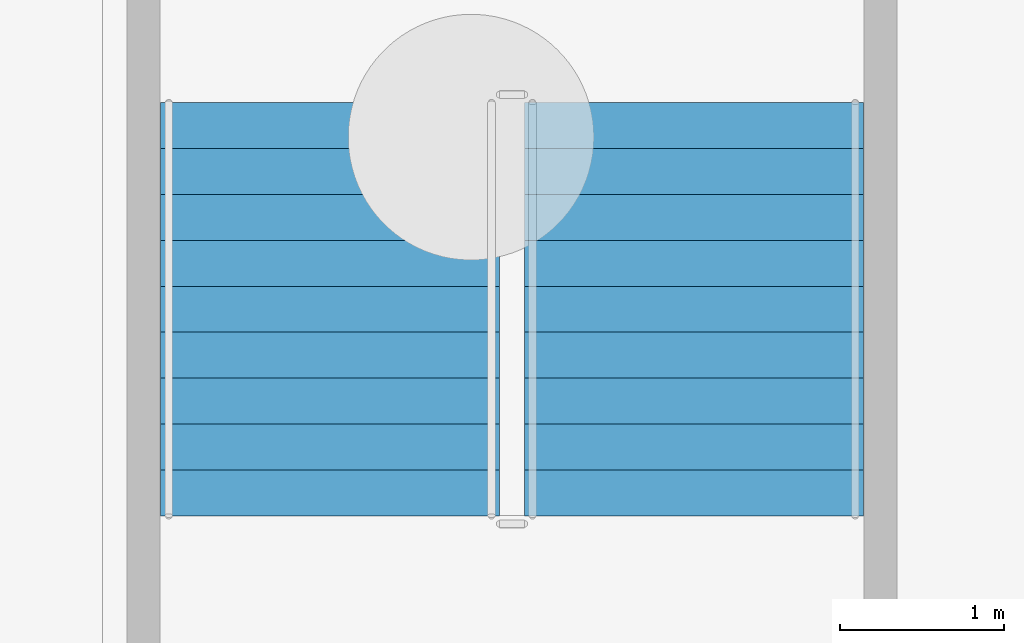
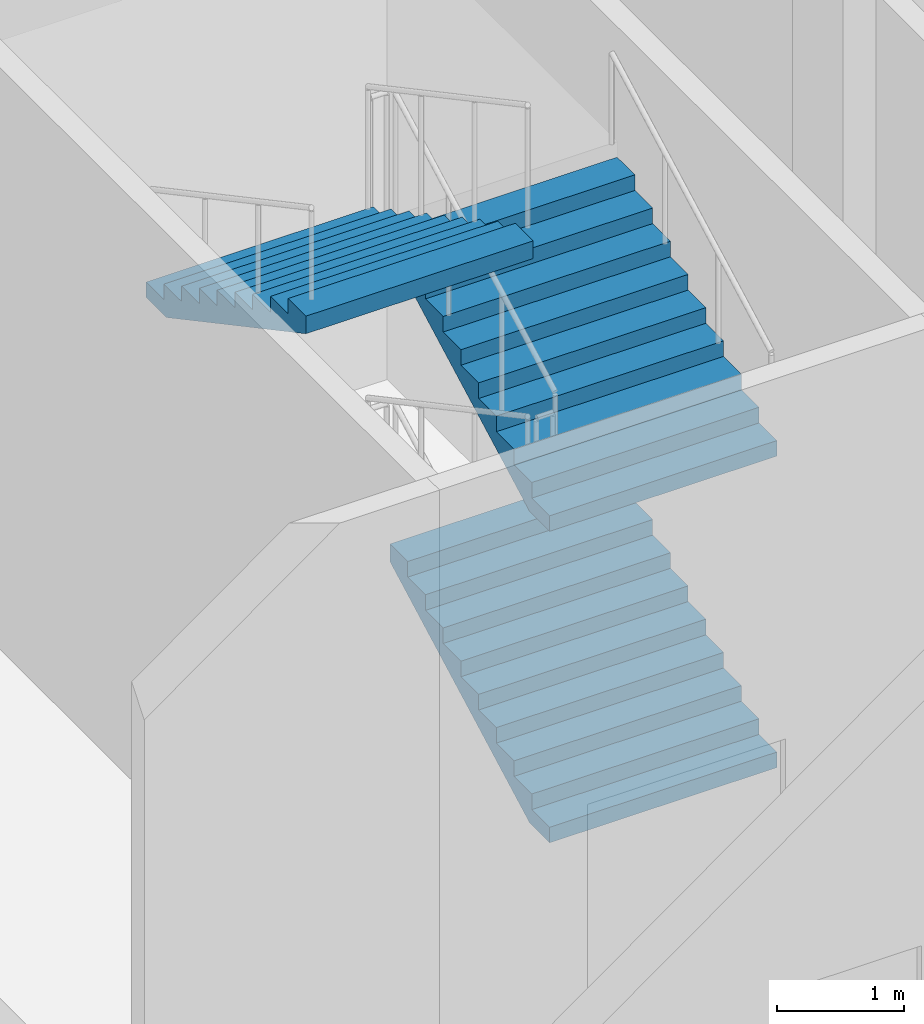
# One storey, part 15 of 25: 3 stair flights, 1 element without a shape of its own.
"""IFC4 building model written with IfcOpenShell, lengths in metres."""

import ifcopenshell
import ifcopenshell.guid

model = None  # the IFC model being written
_history = None  # IfcOwnerHistory: only IFC2X3 demands one
_inside = {}  # id of a spatial element -> (the spatial element, [elements in it])
_under = {}  # id of a project, library or spatial element -> (it, [spatial elements below it])
_declared = {}  # id of a project -> (the project, [libraries it declares])
_typed = {}  # id of a type object -> (the type object, [elements of that type])
_made_of = {}  # id of a material, layer set ... -> (it, [elements and type objects made of it])


def new_model(schema):
    """Start an empty IFC model of exactly this schema.

    Asked for "IFC4X3", IfcOpenShell would pick the latest addendum, in which some entities
    have other attributes; the version numbers below select the first issue.
    IFC2X3 requires an IfcOwnerHistory on every rooted entity: one is made here for all.
    """
    global model, _history
    if schema == "IFC4X3":
        model = ifcopenshell.file(schema_version=(4, 3, 0, 0))
    else:
        model = ifcopenshell.file(schema=schema)
    _inside.clear()
    _under.clear()
    _declared.clear()
    _typed.clear()
    _made_of.clear()
    _history = None
    if model.schema == "IFC2X3":
        org = make("IfcOrganization", Name="unknown")
        user = make(
            "IfcPersonAndOrganization",
            ThePerson=make("IfcPerson", FamilyName="unknown"),
            TheOrganization=org,
        )
        app = make(
            "IfcApplication",
            ApplicationDeveloper=org,
            Version="unknown",
            ApplicationFullName="unknown",
            ApplicationIdentifier="unknown",
        )
        _history = make(
            "IfcOwnerHistory",
            OwningUser=user,
            OwningApplication=app,
            ChangeAction="ADDED",
            CreationDate=0,
        )
    return model


def make(cls, **values):
    """One entity of the class cls with the attributes given. An attribute that is None is left unset."""
    return model.create_entity(
        cls, **{name: value for name, value in values.items() if value is not None}
    )


def rooted(cls, **values):
    """An entity with a GlobalId (a new one), such as an element, a storey or a relation."""
    return make(cls, GlobalId=ifcopenshell.guid.new(), OwnerHistory=_history, **values)


def si_unit(unit_type, name, prefix=None):
    """IfcSIUnit, for example si_unit("LENGTHUNIT", "METRE", prefix="MILLI")."""
    return make("IfcSIUnit", UnitType=unit_type, Prefix=prefix, Name=name)


def assignment(units):
    """IfcUnitAssignment: the units of a project."""
    return None if units is None else make("IfcUnitAssignment", Units=units)


def point(xyz):
    """IfcCartesianPoint."""
    return None if xyz is None else make("IfcCartesianPoint", Coordinates=xyz)


def direction(xyz):
    """IfcDirection."""
    return None if xyz is None else make("IfcDirection", DirectionRatios=xyz)


def frame(location, z_axis=None, x_axis=None):
    """IfcAxis2Placement3D, a coordinate frame: its origin and axes. An axis left out is left unset."""
    return make(
        "IfcAxis2Placement3D",
        Location=point(location),
        Axis=direction(z_axis),
        RefDirection=direction(x_axis),
    )


def origin():
    """The frame at (0, 0, 0) with its axes left unset."""
    return frame((0.0, 0.0, 0.0))


def place(relative_to, where):
    """IfcLocalPlacement: puts the frame where relative to a parent placement (None: the world)."""
    return make(
        "IfcLocalPlacement", PlacementRelTo=relative_to, RelativePlacement=where
    )


def context(
    kind, dimensions, precision=None, world=None, true_north=None, identifier=None
):
    """IfcGeometricRepresentationContext, for example the 3D "Model" context."""
    return make(
        "IfcGeometricRepresentationContext",
        ContextIdentifier=identifier,
        ContextType=kind,
        CoordinateSpaceDimension=dimensions,
        Precision=precision,
        WorldCoordinateSystem=world,
        TrueNorth=true_north,
    )


def subcontext(parent, identifier, kind, view, scale=None):
    """IfcGeometricRepresentationSubContext, for example "Body" below "Model"."""
    return make(
        "IfcGeometricRepresentationSubContext",
        ContextIdentifier=identifier,
        ContextType=kind,
        ParentContext=parent,
        TargetScale=scale,
        TargetView=view,
    )


def project(units=None, contexts=None):
    """IfcProject with its units and contexts."""
    return rooted(
        "IfcProject",
        Name="project",
        RepresentationContexts=contexts,
        UnitsInContext=assignment(units),
    )


def spatial(cls, under=None, at=None, **own):
    """A site, building, storey or space (cls), placed at a placement, below another one or the project."""
    s = rooted(cls, ObjectPlacement=at, **own)
    if under is not None:
        _under.setdefault(under.id(), (under, []))[1].append(s)
    return s


def point_list(points):
    """IfcCartesianPointList2D or 3D."""
    cls = (
        "IfcCartesianPointList2D" if len(points[0]) == 2 else "IfcCartesianPointList3D"
    )
    return make(cls, CoordList=points)


def polygons(points, faces, closed=None, point_numbers=None):
    """IfcPolygonalFaceSet: a face is its outer loop, then its inner loops; points numbered from 1."""
    made = []
    for loops in faces:
        if len(loops) == 1:
            made.append(make("IfcIndexedPolygonalFace", CoordIndex=loops[0]))
        else:
            made.append(
                make(
                    "IfcIndexedPolygonalFaceWithVoids",
                    CoordIndex=loops[0],
                    InnerCoordIndices=loops[1:],
                )
            )
    return make(
        "IfcPolygonalFaceSet",
        Coordinates=point_list(points),
        Closed=closed,
        Faces=made,
        PnIndex=point_numbers,
    )


def shape(context_of_items, identifier, shape_type, items):
    """IfcShapeRepresentation: the items that make up one representation, for example the "Body"."""
    return make(
        "IfcShapeRepresentation",
        ContextOfItems=context_of_items,
        RepresentationIdentifier=identifier,
        RepresentationType=shape_type,
        Items=items,
    )


def material(Name=None, Category=None):
    """IfcMaterial."""
    return make("IfcMaterial", Name=Name, Category=Category)


def made_of(thing, what):
    """Note that an element or type object is made of a material, layer set ...; save() writes the relation."""
    if what is not None:
        _made_of.setdefault(what.id(), (what, []))[1].append(thing)
    return thing


def type_object(cls, material=None, **own):
    """A type object (cls), such as IfcWallType, which elements share."""
    return made_of(rooted(cls, **own), material)


def element(
    cls,
    number,
    at=None,
    inside=None,
    cuts=None,
    type_object=None,
    material=None,
    context=None,
    identifier="Body",
    shape_type=None,
    held_by="IfcProductDefinitionShape",
    body=None,
    shapes=None,
    **own,
):
    """One element of the class cls, such as IfcWall. Its Tag is "e" and its number.

    at: its placement. inside: the storey or other place that contains it. cuts: it is an
    opening in that element (IfcRelVoidsElement). A single representation is given by context,
    identifier, shape_type and body (its items); several are given by shapes. held_by: the class
    of the entity that holds the representations. save() writes the other relations.
    """
    e = rooted(cls, Tag="e%d" % number, ObjectPlacement=at, **own)
    if body is not None:
        shapes = [shape(context, identifier, shape_type, body)]
    if shapes is not None:
        e.Representation = make(held_by, Representations=shapes)
    if inside is not None:
        _inside.setdefault(inside.id(), (inside, []))[1].append(e)
    if cuts is not None:
        rooted(
            "IfcRelVoidsElement", RelatingBuildingElement=cuts, RelatedOpeningElement=e
        )
    if type_object is not None:
        _typed.setdefault(type_object.id(), (type_object, []))[1].append(e)
    return made_of(e, material)


def aggregate(whole, parts):
    """IfcRelAggregates: a whole, such as a stair, and the parts it consists of."""
    return rooted("IfcRelAggregates", RelatingObject=whole, RelatedObjects=parts)


def save(model, path):
    """Write the relations noted so far, then the file.

    IfcRelAggregates (storeys below a building ...), IfcRelContainedInSpatialStructure (elements
    in a storey), IfcRelDefinesByType, IfcRelAssociatesMaterial and IfcRelDeclares: one each for
    every whole, place, type object, material and project.
    """
    for whole, parts in _under.values():
        aggregate(whole, parts)
    for where, things in _inside.values():
        rooted(
            "IfcRelContainedInSpatialStructure",
            RelatedElements=things,
            RelatingStructure=where,
        )
    for kind, things in _typed.values():
        rooted("IfcRelDefinesByType", RelatedObjects=things, RelatingType=kind)
    for what, things in _made_of.values():
        rooted("IfcRelAssociatesMaterial", RelatedObjects=things, RelatingMaterial=what)
    for by, libraries in _declared.values():
        rooted("IfcRelDeclares", RelatingContext=by, RelatedDefinitions=libraries)
    model.write(path)


model = new_model("IFC4")

# Units and contexts
model_context = context("Model", 3, precision=1e-05, world=origin(), true_north=direction((0.0, 1.0)))
body_context = subcontext(model_context, "Body", "Model", "MODEL_VIEW")
ifc_project = project(units=[si_unit("LENGTHUNIT", "METRE"), si_unit("AREAUNIT", "SQUARE_METRE"), si_unit("VOLUMEUNIT", "CUBIC_METRE"), si_unit("PLANEANGLEUNIT", "RADIAN"), si_unit("MASSUNIT", "GRAM", prefix="KILO")], contexts=[model_context])

# Site, building, storey
site_placement = place(None, origin())
site = spatial("IfcSite", under=ifc_project, at=site_placement, CompositionType="ELEMENT")
building_placement = place(site_placement, origin())
building = spatial("IfcBuilding", under=site, at=building_placement, Name="Caravel Reach Hotel and Residences", CompositionType="ELEMENT")
storey_placement = place(building_placement, frame((0.0, 0.0, -6.0)))
storey = spatial("IfcBuildingStorey", under=building, at=storey_placement, Name="B1", CompositionType="ELEMENT", Elevation=-6.0)

# Stair, stair flights
ifc_material_1 = material(Name="Concrete C40", Category="concrete")
stair_type = type_object("IfcStairType", Name="Core stair", PredefinedType="HALF_TURN_STAIR", material=ifc_material_1)
stair_placement = place(storey_placement, origin())
stair = element("IfcStair", 1, at=stair_placement, inside=storey, type_object=stair_type, Name="B1 Exit stair P5", PredefinedType="HALF_TURN_STAIR")
ifc_material_2 = material(Name="Concrete C40", Category="concrete")
stair_flight_type = type_object("IfcStairFlightType", Name="Core stair flight", PredefinedType="STRAIGHT", material=ifc_material_2)
stair_flight_1_placement = place(storey_placement, frame((1.360107421875, 42.68994140625, 0.0), z_axis=(0.0, 0.0, 1.0), x_axis=(0.0, 1.0, 0.0)))
stair_flight_1 = element("IfcStairFlight", 2, at=stair_flight_1_placement, type_object=stair_flight_type, Name="ST-P5 flight 1", NumberOfRisers=10, NumberOfTreads=9, PredefinedType="STRAIGHT", RiserHeight=0.15, TreadLength=0.28, context=body_context, shape_type="Tessellation", body=[
    polygons([(0.3174408016601862, 1.0350341796875, 0.0), (0.3174408016601862, 0.6900227864583333, 0.0), (0.3174408016601862, 0.34501139322916663, 0.0), (0.3174408016601862, 0.0, 0.0), (0.3174408016601862, -0.34501139322916674, 0.0), (0.3174408016601862, -0.6900227864583333, 0.0), (0.3174408016601862, -1.0350341796875, 0.0), (2.5210000000000004, 1.0350341796875, 1.1799424276820432), (2.5210000000000004, 0.6900227864583333, 1.1799424276820432), (2.5210000000000004, 0.34501139322916663, 1.1799424276820432), (2.5210000000000004, 0.0, 1.1799424276820432), (2.5210000000000004, -0.34501139322916674, 1.1799424276820432), (2.5210000000000004, -0.6900227864583333, 1.1799424276820432), (2.5210000000000004, -1.0350341796875, 1.1799424276820432), (2.5210000000000004, 1.0350341796875, 1.3499999999999999), (2.5210000000000004, 0.6900227864583333, 1.3499999999999999), (2.5210000000000004, 0.34501139322916663, 1.3499999999999999), (2.5210000000000004, 0.0, 1.3499999999999999), (2.5210000000000004, -0.34501139322916674, 1.3499999999999999), (2.5210000000000004, -0.6900227864583333, 1.3499999999999999), (2.5210000000000004, -1.0350341796875, 1.3499999999999999), (2.24, 1.0350341796875, 1.3499999999999999), (2.24, 0.6900227864583333, 1.3499999999999999), (2.24, 0.34501139322916663, 1.3499999999999999), (2.24, 0.0, 1.3499999999999999), (2.24, -0.34501139322916674, 1.3499999999999999), (2.24, -0.6900227864583333, 1.3499999999999999), (2.24, -1.0350341796875, 1.3499999999999999), (2.24, 1.0350341796875, 1.2), (2.24, 0.6900227864583333, 1.2), (2.24, 0.34501139322916663, 1.2), (2.24, 0.0, 1.2), (2.24, -0.34501139322916674, 1.2), (2.24, -0.6900227864583333, 1.2), (2.24, -1.0350341796875, 1.2), (1.9600000000000002, 1.0350341796875, 1.2), (1.9600000000000002, 0.6900227864583333, 1.2), (1.9600000000000002, 0.34501139322916663, 1.2), (1.9600000000000002, 0.0, 1.2), (1.9600000000000002, -0.34501139322916674, 1.2), (1.9600000000000002, -0.6900227864583333, 1.2), (1.9600000000000002, -1.0350341796875, 1.2), (1.9600000000000002, 1.0350341796875, 1.05), (1.9600000000000002, 0.6900227864583333, 1.05), (1.9600000000000002, 0.34501139322916663, 1.05), (1.9600000000000002, 0.0, 1.05), (1.9600000000000002, -0.34501139322916674, 1.05), (1.9600000000000002, -0.6900227864583333, 1.05), (1.9600000000000002, -1.0350341796875, 1.05), (1.6800000000000002, 1.0350341796875, 1.05), (1.6800000000000002, 0.6900227864583333, 1.05), (1.6800000000000002, 0.34501139322916663, 1.05), (1.6800000000000002, 0.0, 1.05), (1.6800000000000002, -0.34501139322916674, 1.05), (1.6800000000000002, -0.6900227864583333, 1.05), (1.6800000000000002, -1.0350341796875, 1.05), (1.6800000000000002, 1.0350341796875, 0.8999999999999999), (1.6800000000000002, 0.6900227864583333, 0.8999999999999999), (1.6800000000000002, 0.34501139322916663, 0.8999999999999999), (1.6800000000000002, 0.0, 0.8999999999999999), (1.6800000000000002, -0.34501139322916674, 0.8999999999999999), (1.6800000000000002, -0.6900227864583333, 0.8999999999999999), (1.6800000000000002, -1.0350341796875, 0.8999999999999999), (1.4000000000000001, 1.0350341796875, 0.8999999999999999), (1.4000000000000001, 0.6900227864583333, 0.8999999999999999), (1.4000000000000001, 0.34501139322916663, 0.8999999999999999), (1.4000000000000001, 0.0, 0.8999999999999999), (1.4000000000000001, -0.34501139322916674, 0.8999999999999999), (1.4000000000000001, -0.6900227864583333, 0.8999999999999999), (1.4000000000000001, -1.0350341796875, 0.8999999999999999), (1.4000000000000001, 1.0350341796875, 0.75), (1.4000000000000001, 0.6900227864583333, 0.75), (1.4000000000000001, 0.34501139322916663, 0.75), (1.4000000000000001, 0.0, 0.75), (1.4000000000000001, -0.34501139322916674, 0.75), (1.4000000000000001, -0.6900227864583333, 0.75), (1.4000000000000001, -1.0350341796875, 0.75), (1.12, 1.0350341796875, 0.75), (1.12, 0.6900227864583333, 0.75), (1.12, 0.34501139322916663, 0.75), (1.12, 0.0, 0.75), (1.12, -0.34501139322916674, 0.75), (1.12, -0.6900227864583333, 0.75), (1.12, -1.0350341796875, 0.75), (1.12, 1.0350341796875, 0.6), (1.12, 0.6900227864583333, 0.6), (1.12, 0.34501139322916663, 0.6), (1.12, 0.0, 0.6), (1.12, -0.34501139322916674, 0.6), (1.12, -0.6900227864583333, 0.6), (1.12, -1.0350341796875, 0.6), (0.8400000000000001, 1.0350341796875, 0.6), (0.8400000000000001, 0.6900227864583333, 0.6), (0.8400000000000001, 0.34501139322916663, 0.6), (0.8400000000000001, 0.0, 0.6), (0.8400000000000001, -0.34501139322916674, 0.6), (0.8400000000000001, -0.6900227864583333, 0.6), (0.8400000000000001, -1.0350341796875, 0.6), (0.8400000000000001, 1.0350341796875, 0.44999999999999996), (0.8400000000000001, 0.6900227864583333, 0.44999999999999996), (0.8400000000000001, 0.34501139322916663, 0.44999999999999996), (0.8400000000000001, 0.0, 0.44999999999999996), (0.8400000000000001, -0.34501139322916674, 0.44999999999999996), (0.8400000000000001, -0.6900227864583333, 0.44999999999999996), (0.8400000000000001, -1.0350341796875, 0.44999999999999996), (0.56, 1.0350341796875, 0.44999999999999996), (0.56, 0.6900227864583333, 0.44999999999999996), (0.56, 0.34501139322916663, 0.44999999999999996), (0.56, 0.0, 0.44999999999999996), (0.56, -0.34501139322916674, 0.44999999999999996), (0.56, -0.6900227864583333, 0.44999999999999996), (0.56, -1.0350341796875, 0.44999999999999996), (0.56, 1.0350341796875, 0.3), (0.56, 0.6900227864583333, 0.3), (0.56, 0.34501139322916663, 0.3), (0.56, 0.0, 0.3), (0.56, -0.34501139322916674, 0.3), (0.56, -0.6900227864583333, 0.3), (0.56, -1.0350341796875, 0.3), (0.28, 1.0350341796875, 0.3), (0.28, 0.6900227864583333, 0.3), (0.28, 0.34501139322916663, 0.3), (0.28, 0.0, 0.3), (0.28, -0.34501139322916674, 0.3), (0.28, -0.6900227864583333, 0.3), (0.28, -1.0350341796875, 0.3), (0.28, 1.0350341796875, 0.15), (0.28, 0.6900227864583333, 0.15), (0.28, 0.34501139322916663, 0.15), (0.28, 0.0, 0.15), (0.28, -0.34501139322916674, 0.15), (0.28, -0.6900227864583333, 0.15), (0.28, -1.0350341796875, 0.15), (-0.001, 1.0350341796875, 0.15), (-0.001, 0.6900227864583333, 0.15), (-0.001, 0.34501139322916663, 0.15), (-0.001, 0.0, 0.15), (-0.001, -0.34501139322916674, 0.15), (-0.001, -0.6900227864583333, 0.15), (-0.001, -1.0350341796875, 0.15), (-0.001, 1.0350341796875, 0.0), (-0.001, 0.6900227864583333, 0.0), (-0.001, 0.34501139322916663, 0.0), (-0.001, 0.0, 0.0), (-0.001, -0.34501139322916674, 0.0), (-0.001, -0.6900227864583333, 0.0), (-0.001, -1.0350341796875, 0.0)], [[[141, 134, 127, 120, 113, 106, 99, 92, 85, 78, 71, 64, 57, 50, 43, 36, 29, 22, 15, 8, 1]], [[7, 14, 21, 28, 35, 42, 49, 56, 63, 70, 77, 84, 91, 98, 105, 112, 119, 126, 133, 140, 147]], [[1, 8, 9, 2]], [[2, 9, 10, 3]], [[3, 10, 11, 4]], [[4, 11, 12, 5]], [[5, 12, 13, 6]], [[6, 13, 14, 7]], [[8, 15, 16, 9]], [[9, 16, 17, 10]], [[10, 17, 18, 11]], [[11, 18, 19, 12]], [[12, 19, 20, 13]], [[13, 20, 21, 14]], [[15, 22, 23, 16]], [[16, 23, 24, 17]], [[17, 24, 25, 18]], [[18, 25, 26, 19]], [[19, 26, 27, 20]], [[20, 27, 28, 21]], [[22, 29, 30, 23]], [[23, 30, 31, 24]], [[24, 31, 32, 25]], [[25, 32, 33, 26]], [[26, 33, 34, 27]], [[27, 34, 35, 28]], [[29, 36, 37, 30]], [[30, 37, 38, 31]], [[31, 38, 39, 32]], [[32, 39, 40, 33]], [[33, 40, 41, 34]], [[34, 41, 42, 35]], [[36, 43, 44, 37]], [[37, 44, 45, 38]], [[38, 45, 46, 39]], [[39, 46, 47, 40]], [[40, 47, 48, 41]], [[41, 48, 49, 42]], [[43, 50, 51, 44]], [[44, 51, 52, 45]], [[45, 52, 53, 46]], [[46, 53, 54, 47]], [[47, 54, 55, 48]], [[48, 55, 56, 49]], [[50, 57, 58, 51]], [[51, 58, 59, 52]], [[52, 59, 60, 53]], [[53, 60, 61, 54]], [[54, 61, 62, 55]], [[55, 62, 63, 56]], [[57, 64, 65, 58]], [[58, 65, 66, 59]], [[59, 66, 67, 60]], [[60, 67, 68, 61]], [[61, 68, 69, 62]], [[62, 69, 70, 63]], [[64, 71, 72, 65]], [[65, 72, 73, 66]], [[66, 73, 74, 67]], [[67, 74, 75, 68]], [[68, 75, 76, 69]], [[69, 76, 77, 70]], [[71, 78, 79, 72]], [[72, 79, 80, 73]], [[73, 80, 81, 74]], [[74, 81, 82, 75]], [[75, 82, 83, 76]], [[76, 83, 84, 77]], [[78, 85, 86, 79]], [[79, 86, 87, 80]], [[80, 87, 88, 81]], [[81, 88, 89, 82]], [[82, 89, 90, 83]], [[83, 90, 91, 84]], [[85, 92, 93, 86]], [[86, 93, 94, 87]], [[87, 94, 95, 88]], [[88, 95, 96, 89]], [[89, 96, 97, 90]], [[90, 97, 98, 91]], [[92, 99, 100, 93]], [[93, 100, 101, 94]], [[94, 101, 102, 95]], [[95, 102, 103, 96]], [[96, 103, 104, 97]], [[97, 104, 105, 98]], [[99, 106, 107, 100]], [[100, 107, 108, 101]], [[101, 108, 109, 102]], [[102, 109, 110, 103]], [[103, 110, 111, 104]], [[104, 111, 112, 105]], [[106, 113, 114, 107]], [[107, 114, 115, 108]], [[108, 115, 116, 109]], [[109, 116, 117, 110]], [[110, 117, 118, 111]], [[111, 118, 119, 112]], [[113, 120, 121, 114]], [[114, 121, 122, 115]], [[115, 122, 123, 116]], [[116, 123, 124, 117]], [[117, 124, 125, 118]], [[118, 125, 126, 119]], [[120, 127, 128, 121]], [[121, 128, 129, 122]], [[122, 129, 130, 123]], [[123, 130, 131, 124]], [[124, 131, 132, 125]], [[125, 132, 133, 126]], [[127, 134, 135, 128]], [[128, 135, 136, 129]], [[129, 136, 137, 130]], [[130, 137, 138, 131]], [[131, 138, 139, 132]], [[132, 139, 140, 133]], [[134, 141, 142, 135]], [[135, 142, 143, 136]], [[136, 143, 144, 137]], [[137, 144, 145, 138]], [[138, 145, 146, 139]], [[139, 146, 147, 140]], [[141, 1, 2, 142]], [[142, 2, 3, 143]], [[143, 3, 4, 144]], [[144, 4, 5, 145]], [[145, 5, 6, 146]], [[146, 6, 7, 147]]], closed=True),
])
stair_flight_2_placement = place(storey_placement, frame((1.360107421875, 42.68994140625, 3.0), z_axis=(0.0, 0.0, 1.0), x_axis=(0.0, 1.0, 0.0)))
stair_flight_2 = element("IfcStairFlight", 3, at=stair_flight_2_placement, type_object=stair_flight_type, Name="ST-P5 flight 3", NumberOfRisers=10, NumberOfTreads=9, PredefinedType="STRAIGHT", RiserHeight=0.15, TreadLength=0.28, context=body_context, shape_type="Tessellation", body=[
    polygons([(0.3174408016601862, 1.0350341796875, 0.0), (0.3174408016601862, 0.6900227864583333, 0.0), (0.3174408016601862, 0.34501139322916663, 0.0), (0.3174408016601862, 0.0, 0.0), (0.3174408016601862, -0.34501139322916674, 0.0), (0.3174408016601862, -0.6900227864583333, 0.0), (0.3174408016601862, -1.0350341796875, 0.0), (2.5210000000000004, 1.0350341796875, 1.1799424276820432), (2.5210000000000004, 0.6900227864583333, 1.1799424276820432), (2.5210000000000004, 0.34501139322916663, 1.1799424276820432), (2.5210000000000004, 0.0, 1.1799424276820432), (2.5210000000000004, -0.34501139322916674, 1.1799424276820432), (2.5210000000000004, -0.6900227864583333, 1.1799424276820432), (2.5210000000000004, -1.0350341796875, 1.1799424276820432), (2.5210000000000004, 1.0350341796875, 1.3499999999999999), (2.5210000000000004, 0.6900227864583333, 1.3499999999999999), (2.5210000000000004, 0.34501139322916663, 1.3499999999999999), (2.5210000000000004, 0.0, 1.3499999999999999), (2.5210000000000004, -0.34501139322916674, 1.3499999999999999), (2.5210000000000004, -0.6900227864583333, 1.3499999999999999), (2.5210000000000004, -1.0350341796875, 1.3499999999999999), (2.24, 1.0350341796875, 1.3499999999999999), (2.24, 0.6900227864583333, 1.3499999999999999), (2.24, 0.34501139322916663, 1.3499999999999999), (2.24, 0.0, 1.3499999999999999), (2.24, -0.34501139322916674, 1.3499999999999999), (2.24, -0.6900227864583333, 1.3499999999999999), (2.24, -1.0350341796875, 1.3499999999999999), (2.24, 1.0350341796875, 1.2), (2.24, 0.6900227864583333, 1.2), (2.24, 0.34501139322916663, 1.2), (2.24, 0.0, 1.2), (2.24, -0.34501139322916674, 1.2), (2.24, -0.6900227864583333, 1.2), (2.24, -1.0350341796875, 1.2), (1.9600000000000002, 1.0350341796875, 1.2), (1.9600000000000002, 0.6900227864583333, 1.2), (1.9600000000000002, 0.34501139322916663, 1.2), (1.9600000000000002, 0.0, 1.2), (1.9600000000000002, -0.34501139322916674, 1.2), (1.9600000000000002, -0.6900227864583333, 1.2), (1.9600000000000002, -1.0350341796875, 1.2), (1.9600000000000002, 1.0350341796875, 1.05), (1.9600000000000002, 0.6900227864583333, 1.05), (1.9600000000000002, 0.34501139322916663, 1.05), (1.9600000000000002, 0.0, 1.05), (1.9600000000000002, -0.34501139322916674, 1.05), (1.9600000000000002, -0.6900227864583333, 1.05), (1.9600000000000002, -1.0350341796875, 1.05), (1.6800000000000002, 1.0350341796875, 1.05), (1.6800000000000002, 0.6900227864583333, 1.05), (1.6800000000000002, 0.34501139322916663, 1.05), (1.6800000000000002, 0.0, 1.05), (1.6800000000000002, -0.34501139322916674, 1.05), (1.6800000000000002, -0.6900227864583333, 1.05), (1.6800000000000002, -1.0350341796875, 1.05), (1.6800000000000002, 1.0350341796875, 0.8999999999999999), (1.6800000000000002, 0.6900227864583333, 0.8999999999999999), (1.6800000000000002, 0.34501139322916663, 0.8999999999999999), (1.6800000000000002, 0.0, 0.8999999999999999), (1.6800000000000002, -0.34501139322916674, 0.8999999999999999), (1.6800000000000002, -0.6900227864583333, 0.8999999999999999), (1.6800000000000002, -1.0350341796875, 0.8999999999999999), (1.4000000000000001, 1.0350341796875, 0.8999999999999999), (1.4000000000000001, 0.6900227864583333, 0.8999999999999999), (1.4000000000000001, 0.34501139322916663, 0.8999999999999999), (1.4000000000000001, 0.0, 0.8999999999999999), (1.4000000000000001, -0.34501139322916674, 0.8999999999999999), (1.4000000000000001, -0.6900227864583333, 0.8999999999999999), (1.4000000000000001, -1.0350341796875, 0.8999999999999999), (1.4000000000000001, 1.0350341796875, 0.75), (1.4000000000000001, 0.6900227864583333, 0.75), (1.4000000000000001, 0.34501139322916663, 0.75), (1.4000000000000001, 0.0, 0.75), (1.4000000000000001, -0.34501139322916674, 0.75), (1.4000000000000001, -0.6900227864583333, 0.75), (1.4000000000000001, -1.0350341796875, 0.75), (1.12, 1.0350341796875, 0.75), (1.12, 0.6900227864583333, 0.75), (1.12, 0.34501139322916663, 0.75), (1.12, 0.0, 0.75), (1.12, -0.34501139322916674, 0.75), (1.12, -0.6900227864583333, 0.75), (1.12, -1.0350341796875, 0.75), (1.12, 1.0350341796875, 0.6), (1.12, 0.6900227864583333, 0.6), (1.12, 0.34501139322916663, 0.6), (1.12, 0.0, 0.6), (1.12, -0.34501139322916674, 0.6), (1.12, -0.6900227864583333, 0.6), (1.12, -1.0350341796875, 0.6), (0.8400000000000001, 1.0350341796875, 0.6), (0.8400000000000001, 0.6900227864583333, 0.6), (0.8400000000000001, 0.34501139322916663, 0.6), (0.8400000000000001, 0.0, 0.6), (0.8400000000000001, -0.34501139322916674, 0.6), (0.8400000000000001, -0.6900227864583333, 0.6), (0.8400000000000001, -1.0350341796875, 0.6), (0.8400000000000001, 1.0350341796875, 0.44999999999999996), (0.8400000000000001, 0.6900227864583333, 0.44999999999999996), (0.8400000000000001, 0.34501139322916663, 0.44999999999999996), (0.8400000000000001, 0.0, 0.44999999999999996), (0.8400000000000001, -0.34501139322916674, 0.44999999999999996), (0.8400000000000001, -0.6900227864583333, 0.44999999999999996), (0.8400000000000001, -1.0350341796875, 0.44999999999999996), (0.56, 1.0350341796875, 0.44999999999999996), (0.56, 0.6900227864583333, 0.44999999999999996), (0.56, 0.34501139322916663, 0.44999999999999996), (0.56, 0.0, 0.44999999999999996), (0.56, -0.34501139322916674, 0.44999999999999996), (0.56, -0.6900227864583333, 0.44999999999999996), (0.56, -1.0350341796875, 0.44999999999999996), (0.56, 1.0350341796875, 0.3), (0.56, 0.6900227864583333, 0.3), (0.56, 0.34501139322916663, 0.3), (0.56, 0.0, 0.3), (0.56, -0.34501139322916674, 0.3), (0.56, -0.6900227864583333, 0.3), (0.56, -1.0350341796875, 0.3), (0.28, 1.0350341796875, 0.3), (0.28, 0.6900227864583333, 0.3), (0.28, 0.34501139322916663, 0.3), (0.28, 0.0, 0.3), (0.28, -0.34501139322916674, 0.3), (0.28, -0.6900227864583333, 0.3), (0.28, -1.0350341796875, 0.3), (0.28, 1.0350341796875, 0.15), (0.28, 0.6900227864583333, 0.15), (0.28, 0.34501139322916663, 0.15), (0.28, 0.0, 0.15), (0.28, -0.34501139322916674, 0.15), (0.28, -0.6900227864583333, 0.15), (0.28, -1.0350341796875, 0.15), (-0.001, 1.0350341796875, 0.15), (-0.001, 0.6900227864583333, 0.15), (-0.001, 0.34501139322916663, 0.15), (-0.001, 0.0, 0.15), (-0.001, -0.34501139322916674, 0.15), (-0.001, -0.6900227864583333, 0.15), (-0.001, -1.0350341796875, 0.15), (-0.001, 1.0350341796875, 0.0), (-0.001, 0.6900227864583333, 0.0), (-0.001, 0.34501139322916663, 0.0), (-0.001, 0.0, 0.0), (-0.001, -0.34501139322916674, 0.0), (-0.001, -0.6900227864583333, 0.0), (-0.001, -1.0350341796875, 0.0)], [[[141, 134, 127, 120, 113, 106, 99, 92, 85, 78, 71, 64, 57, 50, 43, 36, 29, 22, 15, 8, 1]], [[7, 14, 21, 28, 35, 42, 49, 56, 63, 70, 77, 84, 91, 98, 105, 112, 119, 126, 133, 140, 147]], [[1, 8, 9, 2]], [[2, 9, 10, 3]], [[3, 10, 11, 4]], [[4, 11, 12, 5]], [[5, 12, 13, 6]], [[6, 13, 14, 7]], [[8, 15, 16, 9]], [[9, 16, 17, 10]], [[10, 17, 18, 11]], [[11, 18, 19, 12]], [[12, 19, 20, 13]], [[13, 20, 21, 14]], [[15, 22, 23, 16]], [[16, 23, 24, 17]], [[17, 24, 25, 18]], [[18, 25, 26, 19]], [[19, 26, 27, 20]], [[20, 27, 28, 21]], [[22, 29, 30, 23]], [[23, 30, 31, 24]], [[24, 31, 32, 25]], [[25, 32, 33, 26]], [[26, 33, 34, 27]], [[27, 34, 35, 28]], [[29, 36, 37, 30]], [[30, 37, 38, 31]], [[31, 38, 39, 32]], [[32, 39, 40, 33]], [[33, 40, 41, 34]], [[34, 41, 42, 35]], [[36, 43, 44, 37]], [[37, 44, 45, 38]], [[38, 45, 46, 39]], [[39, 46, 47, 40]], [[40, 47, 48, 41]], [[41, 48, 49, 42]], [[43, 50, 51, 44]], [[44, 51, 52, 45]], [[45, 52, 53, 46]], [[46, 53, 54, 47]], [[47, 54, 55, 48]], [[48, 55, 56, 49]], [[50, 57, 58, 51]], [[51, 58, 59, 52]], [[52, 59, 60, 53]], [[53, 60, 61, 54]], [[54, 61, 62, 55]], [[55, 62, 63, 56]], [[57, 64, 65, 58]], [[58, 65, 66, 59]], [[59, 66, 67, 60]], [[60, 67, 68, 61]], [[61, 68, 69, 62]], [[62, 69, 70, 63]], [[64, 71, 72, 65]], [[65, 72, 73, 66]], [[66, 73, 74, 67]], [[67, 74, 75, 68]], [[68, 75, 76, 69]], [[69, 76, 77, 70]], [[71, 78, 79, 72]], [[72, 79, 80, 73]], [[73, 80, 81, 74]], [[74, 81, 82, 75]], [[75, 82, 83, 76]], [[76, 83, 84, 77]], [[78, 85, 86, 79]], [[79, 86, 87, 80]], [[80, 87, 88, 81]], [[81, 88, 89, 82]], [[82, 89, 90, 83]], [[83, 90, 91, 84]], [[85, 92, 93, 86]], [[86, 93, 94, 87]], [[87, 94, 95, 88]], [[88, 95, 96, 89]], [[89, 96, 97, 90]], [[90, 97, 98, 91]], [[92, 99, 100, 93]], [[93, 100, 101, 94]], [[94, 101, 102, 95]], [[95, 102, 103, 96]], [[96, 103, 104, 97]], [[97, 104, 105, 98]], [[99, 106, 107, 100]], [[100, 107, 108, 101]], [[101, 108, 109, 102]], [[102, 109, 110, 103]], [[103, 110, 111, 104]], [[104, 111, 112, 105]], [[106, 113, 114, 107]], [[107, 114, 115, 108]], [[108, 115, 116, 109]], [[109, 116, 117, 110]], [[110, 117, 118, 111]], [[111, 118, 119, 112]], [[113, 120, 121, 114]], [[114, 121, 122, 115]], [[115, 122, 123, 116]], [[116, 123, 124, 117]], [[117, 124, 125, 118]], [[118, 125, 126, 119]], [[120, 127, 128, 121]], [[121, 128, 129, 122]], [[122, 129, 130, 123]], [[123, 130, 131, 124]], [[124, 131, 132, 125]], [[125, 132, 133, 126]], [[127, 134, 135, 128]], [[128, 135, 136, 129]], [[129, 136, 137, 130]], [[130, 137, 138, 131]], [[131, 138, 139, 132]], [[132, 139, 140, 133]], [[134, 141, 142, 135]], [[135, 142, 143, 136]], [[136, 143, 144, 137]], [[137, 144, 145, 138]], [[138, 145, 146, 139]], [[139, 146, 147, 140]], [[141, 1, 2, 142]], [[142, 2, 3, 143]], [[143, 3, 4, 144]], [[144, 4, 5, 145]], [[145, 5, 6, 146]], [[146, 6, 7, 147]]], closed=True),
])
stair_flight_3_placement = place(storey_placement, frame((-0.860107421875, 45.2099609375, 4.5), z_axis=(0.0, 0.0, 1.0), x_axis=(0.0, -1.0, 0.0)))
stair_flight_3 = element("IfcStairFlight", 4, at=stair_flight_3_placement, type_object=stair_flight_type, Name="ST-P5 flight 4", NumberOfRisers=10, NumberOfTreads=9, PredefinedType="STRAIGHT", RiserHeight=0.15, TreadLength=0.28, context=body_context, shape_type="Tessellation", body=[
    polygons([(0.3174408016601862, 1.0350341796875, 0.0), (0.3174408016601862, 0.6900227864583333, 0.0), (0.3174408016601862, 0.34501139322916663, 0.0), (0.3174408016601862, 0.0, 0.0), (0.3174408016601862, -0.34501139322916674, 0.0), (0.3174408016601862, -0.6900227864583333, 0.0), (0.3174408016601862, -1.0350341796875, 0.0), (2.5210000000000004, 1.0350341796875, 1.1799424276820432), (2.5210000000000004, 0.6900227864583333, 1.1799424276820432), (2.5210000000000004, 0.34501139322916663, 1.1799424276820432), (2.5210000000000004, 0.0, 1.1799424276820432), (2.5210000000000004, -0.34501139322916674, 1.1799424276820432), (2.5210000000000004, -0.6900227864583333, 1.1799424276820432), (2.5210000000000004, -1.0350341796875, 1.1799424276820432), (2.5210000000000004, 1.0350341796875, 1.3499999999999999), (2.5210000000000004, 0.6900227864583333, 1.3499999999999999), (2.5210000000000004, 0.34501139322916663, 1.3499999999999999), (2.5210000000000004, 0.0, 1.3499999999999999), (2.5210000000000004, -0.34501139322916674, 1.3499999999999999), (2.5210000000000004, -0.6900227864583333, 1.3499999999999999), (2.5210000000000004, -1.0350341796875, 1.3499999999999999), (2.24, 1.0350341796875, 1.3499999999999999), (2.24, 0.6900227864583333, 1.3499999999999999), (2.24, 0.34501139322916663, 1.3499999999999999), (2.24, 0.0, 1.3499999999999999), (2.24, -0.34501139322916674, 1.3499999999999999), (2.24, -0.6900227864583333, 1.3499999999999999), (2.24, -1.0350341796875, 1.3499999999999999), (2.24, 1.0350341796875, 1.2), (2.24, 0.6900227864583333, 1.2), (2.24, 0.34501139322916663, 1.2), (2.24, 0.0, 1.2), (2.24, -0.34501139322916674, 1.2), (2.24, -0.6900227864583333, 1.2), (2.24, -1.0350341796875, 1.2), (1.9600000000000002, 1.0350341796875, 1.2), (1.9600000000000002, 0.6900227864583333, 1.2), (1.9600000000000002, 0.34501139322916663, 1.2), (1.9600000000000002, 0.0, 1.2), (1.9600000000000002, -0.34501139322916674, 1.2), (1.9600000000000002, -0.6900227864583333, 1.2), (1.9600000000000002, -1.0350341796875, 1.2), (1.9600000000000002, 1.0350341796875, 1.05), (1.9600000000000002, 0.6900227864583333, 1.05), (1.9600000000000002, 0.34501139322916663, 1.05), (1.9600000000000002, 0.0, 1.05), (1.9600000000000002, -0.34501139322916674, 1.05), (1.9600000000000002, -0.6900227864583333, 1.05), (1.9600000000000002, -1.0350341796875, 1.05), (1.6800000000000002, 1.0350341796875, 1.05), (1.6800000000000002, 0.6900227864583333, 1.05), (1.6800000000000002, 0.34501139322916663, 1.05), (1.6800000000000002, 0.0, 1.05), (1.6800000000000002, -0.34501139322916674, 1.05), (1.6800000000000002, -0.6900227864583333, 1.05), (1.6800000000000002, -1.0350341796875, 1.05), (1.6800000000000002, 1.0350341796875, 0.8999999999999999), (1.6800000000000002, 0.6900227864583333, 0.8999999999999999), (1.6800000000000002, 0.34501139322916663, 0.8999999999999999), (1.6800000000000002, 0.0, 0.8999999999999999), (1.6800000000000002, -0.34501139322916674, 0.8999999999999999), (1.6800000000000002, -0.6900227864583333, 0.8999999999999999), (1.6800000000000002, -1.0350341796875, 0.8999999999999999), (1.4000000000000001, 1.0350341796875, 0.8999999999999999), (1.4000000000000001, 0.6900227864583333, 0.8999999999999999), (1.4000000000000001, 0.34501139322916663, 0.8999999999999999), (1.4000000000000001, 0.0, 0.8999999999999999), (1.4000000000000001, -0.34501139322916674, 0.8999999999999999), (1.4000000000000001, -0.6900227864583333, 0.8999999999999999), (1.4000000000000001, -1.0350341796875, 0.8999999999999999), (1.4000000000000001, 1.0350341796875, 0.75), (1.4000000000000001, 0.6900227864583333, 0.75), (1.4000000000000001, 0.34501139322916663, 0.75), (1.4000000000000001, 0.0, 0.75), (1.4000000000000001, -0.34501139322916674, 0.75), (1.4000000000000001, -0.6900227864583333, 0.75), (1.4000000000000001, -1.0350341796875, 0.75), (1.12, 1.0350341796875, 0.75), (1.12, 0.6900227864583333, 0.75), (1.12, 0.34501139322916663, 0.75), (1.12, 0.0, 0.75), (1.12, -0.34501139322916674, 0.75), (1.12, -0.6900227864583333, 0.75), (1.12, -1.0350341796875, 0.75), (1.12, 1.0350341796875, 0.6), (1.12, 0.6900227864583333, 0.6), (1.12, 0.34501139322916663, 0.6), (1.12, 0.0, 0.6), (1.12, -0.34501139322916674, 0.6), (1.12, -0.6900227864583333, 0.6), (1.12, -1.0350341796875, 0.6), (0.8400000000000001, 1.0350341796875, 0.6), (0.8400000000000001, 0.6900227864583333, 0.6), (0.8400000000000001, 0.34501139322916663, 0.6), (0.8400000000000001, 0.0, 0.6), (0.8400000000000001, -0.34501139322916674, 0.6), (0.8400000000000001, -0.6900227864583333, 0.6), (0.8400000000000001, -1.0350341796875, 0.6), (0.8400000000000001, 1.0350341796875, 0.44999999999999996), (0.8400000000000001, 0.6900227864583333, 0.44999999999999996), (0.8400000000000001, 0.34501139322916663, 0.44999999999999996), (0.8400000000000001, 0.0, 0.44999999999999996), (0.8400000000000001, -0.34501139322916674, 0.44999999999999996), (0.8400000000000001, -0.6900227864583333, 0.44999999999999996), (0.8400000000000001, -1.0350341796875, 0.44999999999999996), (0.56, 1.0350341796875, 0.44999999999999996), (0.56, 0.6900227864583333, 0.44999999999999996), (0.56, 0.34501139322916663, 0.44999999999999996), (0.56, 0.0, 0.44999999999999996), (0.56, -0.34501139322916674, 0.44999999999999996), (0.56, -0.6900227864583333, 0.44999999999999996), (0.56, -1.0350341796875, 0.44999999999999996), (0.56, 1.0350341796875, 0.3), (0.56, 0.6900227864583333, 0.3), (0.56, 0.34501139322916663, 0.3), (0.56, 0.0, 0.3), (0.56, -0.34501139322916674, 0.3), (0.56, -0.6900227864583333, 0.3), (0.56, -1.0350341796875, 0.3), (0.28, 1.0350341796875, 0.3), (0.28, 0.6900227864583333, 0.3), (0.28, 0.34501139322916663, 0.3), (0.28, 0.0, 0.3), (0.28, -0.34501139322916674, 0.3), (0.28, -0.6900227864583333, 0.3), (0.28, -1.0350341796875, 0.3), (0.28, 1.0350341796875, 0.15), (0.28, 0.6900227864583333, 0.15), (0.28, 0.34501139322916663, 0.15), (0.28, 0.0, 0.15), (0.28, -0.34501139322916674, 0.15), (0.28, -0.6900227864583333, 0.15), (0.28, -1.0350341796875, 0.15), (-0.001, 1.0350341796875, 0.15), (-0.001, 0.6900227864583333, 0.15), (-0.001, 0.34501139322916663, 0.15), (-0.001, 0.0, 0.15), (-0.001, -0.34501139322916674, 0.15), (-0.001, -0.6900227864583333, 0.15), (-0.001, -1.0350341796875, 0.15), (-0.001, 1.0350341796875, 0.0), (-0.001, 0.6900227864583333, 0.0), (-0.001, 0.34501139322916663, 0.0), (-0.001, 0.0, 0.0), (-0.001, -0.34501139322916674, 0.0), (-0.001, -0.6900227864583333, 0.0), (-0.001, -1.0350341796875, 0.0)], [[[141, 134, 127, 120, 113, 106, 99, 92, 85, 78, 71, 64, 57, 50, 43, 36, 29, 22, 15, 8, 1]], [[7, 14, 21, 28, 35, 42, 49, 56, 63, 70, 77, 84, 91, 98, 105, 112, 119, 126, 133, 140, 147]], [[1, 8, 9, 2]], [[2, 9, 10, 3]], [[3, 10, 11, 4]], [[4, 11, 12, 5]], [[5, 12, 13, 6]], [[6, 13, 14, 7]], [[8, 15, 16, 9]], [[9, 16, 17, 10]], [[10, 17, 18, 11]], [[11, 18, 19, 12]], [[12, 19, 20, 13]], [[13, 20, 21, 14]], [[15, 22, 23, 16]], [[16, 23, 24, 17]], [[17, 24, 25, 18]], [[18, 25, 26, 19]], [[19, 26, 27, 20]], [[20, 27, 28, 21]], [[22, 29, 30, 23]], [[23, 30, 31, 24]], [[24, 31, 32, 25]], [[25, 32, 33, 26]], [[26, 33, 34, 27]], [[27, 34, 35, 28]], [[29, 36, 37, 30]], [[30, 37, 38, 31]], [[31, 38, 39, 32]], [[32, 39, 40, 33]], [[33, 40, 41, 34]], [[34, 41, 42, 35]], [[36, 43, 44, 37]], [[37, 44, 45, 38]], [[38, 45, 46, 39]], [[39, 46, 47, 40]], [[40, 47, 48, 41]], [[41, 48, 49, 42]], [[43, 50, 51, 44]], [[44, 51, 52, 45]], [[45, 52, 53, 46]], [[46, 53, 54, 47]], [[47, 54, 55, 48]], [[48, 55, 56, 49]], [[50, 57, 58, 51]], [[51, 58, 59, 52]], [[52, 59, 60, 53]], [[53, 60, 61, 54]], [[54, 61, 62, 55]], [[55, 62, 63, 56]], [[57, 64, 65, 58]], [[58, 65, 66, 59]], [[59, 66, 67, 60]], [[60, 67, 68, 61]], [[61, 68, 69, 62]], [[62, 69, 70, 63]], [[64, 71, 72, 65]], [[65, 72, 73, 66]], [[66, 73, 74, 67]], [[67, 74, 75, 68]], [[68, 75, 76, 69]], [[69, 76, 77, 70]], [[71, 78, 79, 72]], [[72, 79, 80, 73]], [[73, 80, 81, 74]], [[74, 81, 82, 75]], [[75, 82, 83, 76]], [[76, 83, 84, 77]], [[78, 85, 86, 79]], [[79, 86, 87, 80]], [[80, 87, 88, 81]], [[81, 88, 89, 82]], [[82, 89, 90, 83]], [[83, 90, 91, 84]], [[85, 92, 93, 86]], [[86, 93, 94, 87]], [[87, 94, 95, 88]], [[88, 95, 96, 89]], [[89, 96, 97, 90]], [[90, 97, 98, 91]], [[92, 99, 100, 93]], [[93, 100, 101, 94]], [[94, 101, 102, 95]], [[95, 102, 103, 96]], [[96, 103, 104, 97]], [[97, 104, 105, 98]], [[99, 106, 107, 100]], [[100, 107, 108, 101]], [[101, 108, 109, 102]], [[102, 109, 110, 103]], [[103, 110, 111, 104]], [[104, 111, 112, 105]], [[106, 113, 114, 107]], [[107, 114, 115, 108]], [[108, 115, 116, 109]], [[109, 116, 117, 110]], [[110, 117, 118, 111]], [[111, 118, 119, 112]], [[113, 120, 121, 114]], [[114, 121, 122, 115]], [[115, 122, 123, 116]], [[116, 123, 124, 117]], [[117, 124, 125, 118]], [[118, 125, 126, 119]], [[120, 127, 128, 121]], [[121, 128, 129, 122]], [[122, 129, 130, 123]], [[123, 130, 131, 124]], [[124, 131, 132, 125]], [[125, 132, 133, 126]], [[127, 134, 135, 128]], [[128, 135, 136, 129]], [[129, 136, 137, 130]], [[130, 137, 138, 131]], [[131, 138, 139, 132]], [[132, 139, 140, 133]], [[134, 141, 142, 135]], [[135, 142, 143, 136]], [[136, 143, 144, 137]], [[137, 144, 145, 138]], [[138, 145, 146, 139]], [[139, 146, 147, 140]], [[141, 1, 2, 142]], [[142, 2, 3, 143]], [[143, 3, 4, 144]], [[144, 4, 5, 145]], [[145, 5, 6, 146]], [[146, 6, 7, 147]]], closed=True),
])
aggregate(stair, [stair_flight_1, stair_flight_2, stair_flight_3])

save(model, "model.ifc")
